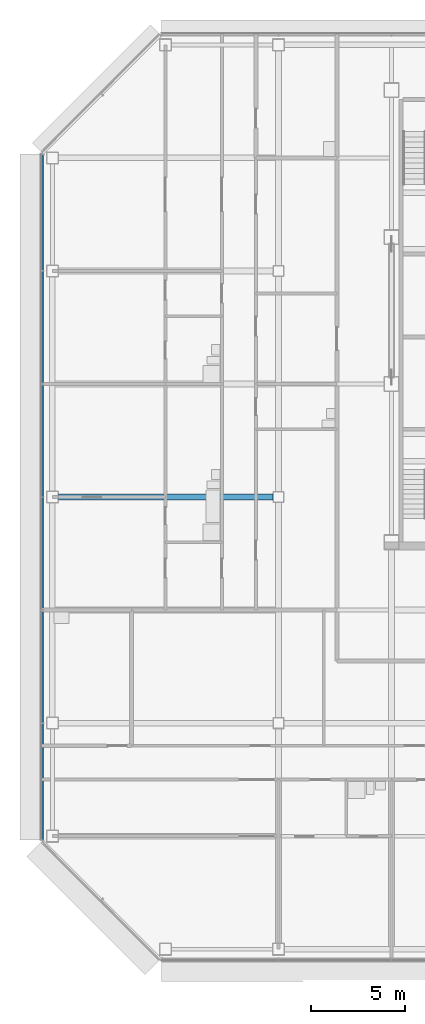
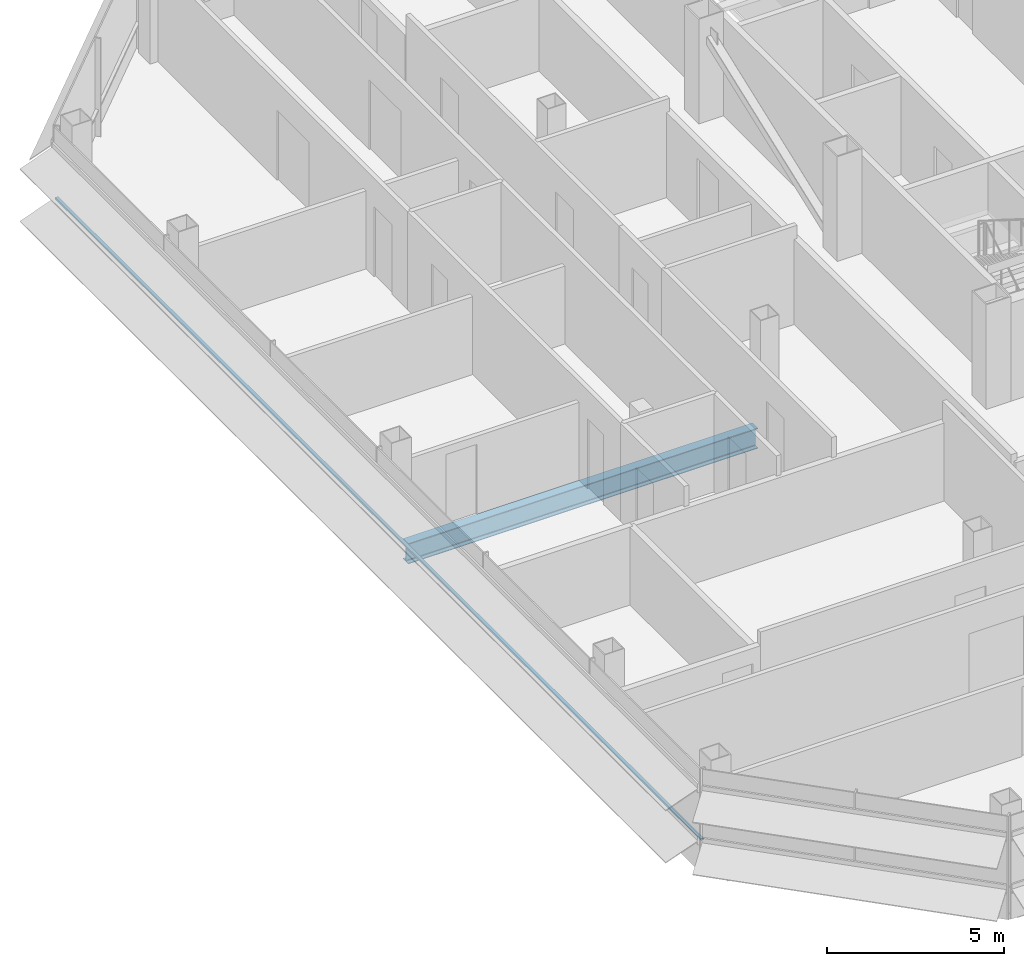
# One storey, part 5 of 27: 1 beam, 1 member, 1 element without a shape of its own.
"""IFC4 building model written with IfcOpenShell, lengths in metres."""

import ifcopenshell
import ifcopenshell.guid

model = None  # the IFC model being written
_history = None  # IfcOwnerHistory: only IFC2X3 demands one
_inside = {}  # id of a spatial element -> (the spatial element, [elements in it])
_under = {}  # id of a project, library or spatial element -> (it, [spatial elements below it])
_declared = {}  # id of a project -> (the project, [libraries it declares])
_typed = {}  # id of a type object -> (the type object, [elements of that type])
_made_of = {}  # id of a material, layer set ... -> (it, [elements and type objects made of it])


def new_model(schema):
    """Start an empty IFC model of exactly this schema.

    Asked for "IFC4X3", IfcOpenShell would pick the latest addendum, in which some entities
    have other attributes; the version numbers below select the first issue.
    IFC2X3 requires an IfcOwnerHistory on every rooted entity: one is made here for all.
    """
    global model, _history
    if schema == "IFC4X3":
        model = ifcopenshell.file(schema_version=(4, 3, 0, 0))
    else:
        model = ifcopenshell.file(schema=schema)
    _inside.clear()
    _under.clear()
    _declared.clear()
    _typed.clear()
    _made_of.clear()
    _history = None
    if model.schema == "IFC2X3":
        org = make("IfcOrganization", Name="unknown")
        user = make(
            "IfcPersonAndOrganization",
            ThePerson=make("IfcPerson", FamilyName="unknown"),
            TheOrganization=org,
        )
        app = make(
            "IfcApplication",
            ApplicationDeveloper=org,
            Version="unknown",
            ApplicationFullName="unknown",
            ApplicationIdentifier="unknown",
        )
        _history = make(
            "IfcOwnerHistory",
            OwningUser=user,
            OwningApplication=app,
            ChangeAction="ADDED",
            CreationDate=0,
        )
    return model


def make(cls, **values):
    """One entity of the class cls with the attributes given. An attribute that is None is left unset."""
    return model.create_entity(
        cls, **{name: value for name, value in values.items() if value is not None}
    )


def rooted(cls, **values):
    """An entity with a GlobalId (a new one), such as an element, a storey or a relation."""
    return make(cls, GlobalId=ifcopenshell.guid.new(), OwnerHistory=_history, **values)


def si_unit(unit_type, name, prefix=None):
    """IfcSIUnit, for example si_unit("LENGTHUNIT", "METRE", prefix="MILLI")."""
    return make("IfcSIUnit", UnitType=unit_type, Prefix=prefix, Name=name)


def assignment(units):
    """IfcUnitAssignment: the units of a project."""
    return None if units is None else make("IfcUnitAssignment", Units=units)


def point(xyz):
    """IfcCartesianPoint."""
    return None if xyz is None else make("IfcCartesianPoint", Coordinates=xyz)


def direction(xyz):
    """IfcDirection."""
    return None if xyz is None else make("IfcDirection", DirectionRatios=xyz)


def frame(location, z_axis=None, x_axis=None):
    """IfcAxis2Placement3D, a coordinate frame: its origin and axes. An axis left out is left unset."""
    return make(
        "IfcAxis2Placement3D",
        Location=point(location),
        Axis=direction(z_axis),
        RefDirection=direction(x_axis),
    )


def frame_2d(location, x_axis=None):
    """IfcAxis2Placement2D, a coordinate frame in the plane: its origin and x axis."""
    return make(
        "IfcAxis2Placement2D", Location=point(location), RefDirection=direction(x_axis)
    )


def origin():
    """The frame at (0, 0, 0) with its axes left unset."""
    return frame((0.0, 0.0, 0.0))


def origin_2d():
    """The frame at (0, 0) in the plane with its x axis left unset."""
    return frame_2d((0.0, 0.0))


def place(relative_to, where):
    """IfcLocalPlacement: puts the frame where relative to a parent placement (None: the world)."""
    return make(
        "IfcLocalPlacement", PlacementRelTo=relative_to, RelativePlacement=where
    )


def context(
    kind, dimensions, precision=None, world=None, true_north=None, identifier=None
):
    """IfcGeometricRepresentationContext, for example the 3D "Model" context."""
    return make(
        "IfcGeometricRepresentationContext",
        ContextIdentifier=identifier,
        ContextType=kind,
        CoordinateSpaceDimension=dimensions,
        Precision=precision,
        WorldCoordinateSystem=world,
        TrueNorth=true_north,
    )


def subcontext(parent, identifier, kind, view, scale=None):
    """IfcGeometricRepresentationSubContext, for example "Body" below "Model"."""
    return make(
        "IfcGeometricRepresentationSubContext",
        ContextIdentifier=identifier,
        ContextType=kind,
        ParentContext=parent,
        TargetScale=scale,
        TargetView=view,
    )


def project(units=None, contexts=None):
    """IfcProject with its units and contexts."""
    return rooted(
        "IfcProject",
        Name="project",
        RepresentationContexts=contexts,
        UnitsInContext=assignment(units),
    )


def spatial(cls, under=None, at=None, **own):
    """A site, building, storey or space (cls), placed at a placement, below another one or the project."""
    s = rooted(cls, ObjectPlacement=at, **own)
    if under is not None:
        _under.setdefault(under.id(), (under, []))[1].append(s)
    return s


def profile(cls, at=None, kind="AREA", **sizes):
    """A parametric profile (cls). Its sizes go by their IFC names, for example OverallWidth=200.0."""
    return make(cls, ProfileType=kind, Position=at, **sizes)


def rectangle(**sizes):
    """IfcRectangleProfileDef."""
    return profile("IfcRectangleProfileDef", **sizes)


def i_section(**sizes):
    """IfcIShapeProfileDef."""
    return profile("IfcIShapeProfileDef", **sizes)


def extrude(swept, where, along, depth):
    """IfcExtrudedAreaSolid: the profile swept, set in the frame where, extruded along a direction by depth."""
    return make(
        "IfcExtrudedAreaSolid",
        SweptArea=swept,
        Position=where,
        ExtrudedDirection=direction(along),
        Depth=depth,
    )


def shape(context_of_items, identifier, shape_type, items):
    """IfcShapeRepresentation: the items that make up one representation, for example the "Body"."""
    return make(
        "IfcShapeRepresentation",
        ContextOfItems=context_of_items,
        RepresentationIdentifier=identifier,
        RepresentationType=shape_type,
        Items=items,
    )


def material(Name=None, Category=None):
    """IfcMaterial."""
    return make("IfcMaterial", Name=Name, Category=Category)


def material_profile(
    of_material, cross_section, Name=None, Category=None, Priority=None
):
    """IfcMaterialProfile: a cross section and its material."""
    return make(
        "IfcMaterialProfile",
        Name=Name,
        Material=of_material,
        Profile=cross_section,
        Priority=Priority,
        Category=Category,
    )


def profile_set(profiles, Name=None, composite=None):
    """IfcMaterialProfileSet."""
    return make(
        "IfcMaterialProfileSet",
        Name=Name,
        MaterialProfiles=profiles,
        CompositeProfile=composite,
    )


def made_of(thing, what):
    """Note that an element or type object is made of a material, layer set ...; save() writes the relation."""
    if what is not None:
        _made_of.setdefault(what.id(), (what, []))[1].append(thing)
    return thing


def type_object(cls, material=None, **own):
    """A type object (cls), such as IfcWallType, which elements share."""
    return made_of(rooted(cls, **own), material)


def element(
    cls,
    number,
    at=None,
    inside=None,
    cuts=None,
    type_object=None,
    material=None,
    context=None,
    identifier="Body",
    shape_type=None,
    held_by="IfcProductDefinitionShape",
    body=None,
    shapes=None,
    **own,
):
    """One element of the class cls, such as IfcWall. Its Tag is "e" and its number.

    at: its placement. inside: the storey or other place that contains it. cuts: it is an
    opening in that element (IfcRelVoidsElement). A single representation is given by context,
    identifier, shape_type and body (its items); several are given by shapes. held_by: the class
    of the entity that holds the representations. save() writes the other relations.
    """
    e = rooted(cls, Tag="e%d" % number, ObjectPlacement=at, **own)
    if body is not None:
        shapes = [shape(context, identifier, shape_type, body)]
    if shapes is not None:
        e.Representation = make(held_by, Representations=shapes)
    if inside is not None:
        _inside.setdefault(inside.id(), (inside, []))[1].append(e)
    if cuts is not None:
        rooted(
            "IfcRelVoidsElement", RelatingBuildingElement=cuts, RelatedOpeningElement=e
        )
    if type_object is not None:
        _typed.setdefault(type_object.id(), (type_object, []))[1].append(e)
    return made_of(e, material)


def aggregate(whole, parts):
    """IfcRelAggregates: a whole, such as a stair, and the parts it consists of."""
    return rooted("IfcRelAggregates", RelatingObject=whole, RelatedObjects=parts)


def save(model, path):
    """Write the relations noted so far, then the file.

    IfcRelAggregates (storeys below a building ...), IfcRelContainedInSpatialStructure (elements
    in a storey), IfcRelDefinesByType, IfcRelAssociatesMaterial and IfcRelDeclares: one each for
    every whole, place, type object, material and project.
    """
    for whole, parts in _under.values():
        aggregate(whole, parts)
    for where, things in _inside.values():
        rooted(
            "IfcRelContainedInSpatialStructure",
            RelatedElements=things,
            RelatingStructure=where,
        )
    for kind, things in _typed.values():
        rooted("IfcRelDefinesByType", RelatedObjects=things, RelatingType=kind)
    for what, things in _made_of.values():
        rooted("IfcRelAssociatesMaterial", RelatedObjects=things, RelatingMaterial=what)
    for by, libraries in _declared.values():
        rooted("IfcRelDeclares", RelatingContext=by, RelatedDefinitions=libraries)
    model.write(path)


model = new_model("IFC4")

# Units and contexts
model_context = context("Model", 3, precision=1e-05, world=origin(), true_north=direction((0.0, 1.0)))
body_context = subcontext(model_context, "Body", "Model", "MODEL_VIEW")
ifc_project = project(units=[si_unit("LENGTHUNIT", "METRE"), si_unit("AREAUNIT", "SQUARE_METRE"), si_unit("VOLUMEUNIT", "CUBIC_METRE"), si_unit("PLANEANGLEUNIT", "RADIAN"), si_unit("MASSUNIT", "GRAM", prefix="KILO")], contexts=[model_context])

# Site, building, storey
site_placement = place(None, origin())
site = spatial("IfcSite", under=ifc_project, at=site_placement, CompositionType="ELEMENT")
building_placement = place(site_placement, origin())
building = spatial("IfcBuilding", under=site, at=building_placement, Name="Sorahane Residences", CompositionType="ELEMENT")
storey_placement = place(building_placement, frame((0.0, 0.0, 206.39990234375)))
storey = spatial("IfcBuildingStorey", under=building, at=storey_placement, Name="L48", CompositionType="ELEMENT", Elevation=206.39990234375)

# Curtain wall, member
ifc_material_1 = material(Name="Dark low-e glass and black anodised aluminium", Category="aluminium")
curtain_wall_type = type_object("IfcCurtainWallType", Name="Curtain wall CW-1 Typical unitised wall", PredefinedType="NOTDEFINED", material=ifc_material_1)
curtain_wall_placement = place(storey_placement, origin())
curtain_wall = element("IfcCurtainWall", 1, at=curtain_wall_placement, inside=storey, type_object=curtain_wall_type, Name="CW-1 curtain wall L48 W1", PredefinedType="NOTDEFINED")
ifc_material_2 = material(Name="Black anodised aluminium", Category="aluminium")
ifc_material_profile_1 = material_profile(ifc_material_2, rectangle(XDim=0.10009765625, YDim=0.06005859375, at=origin_2d()), Name="Curtain wall transom CW-1 black anodised aluminium 60x100")
ifc_profile_set_1 = profile_set([ifc_material_profile_1], Name="Black anodised aluminium")
member_type = type_object("IfcMemberType", Name="Curtain wall transom CW-1 black anodised aluminium 60x100", PredefinedType="USERDEFINED", material=ifc_profile_set_1)
member_placement = place(storey_placement, frame((-12.530029296875, 42.198486328125, 0.900146484375), z_axis=(0.0, -1.0, 0.0), x_axis=(1.0, 0.0, 0.0)))
member = element("IfcMember", 2, at=member_placement, type_object=member_type, Name="CW-1 transom L48 W1", ObjectType="TRANSOM", PredefinedType="USERDEFINED", context=body_context, shape_type="SweptSolid", body=[
    extrude(rectangle(XDim=0.10009765625, YDim=0.06005859375, at=origin_2d()), origin(), (0.0, 0.0, 1.0), 36.39697265625),
])
aggregate(curtain_wall, [member])

# Beam
ifc_material_3 = material(Name="Steel Q355B", Category="steel")
ifc_material_profile_2 = material_profile(ifc_material_3, i_section(OverallWidth=0.300048828125, OverallDepth=0.699951171875, WebThickness=0.012939453125, FlangeThickness=0.02392578125, FilletRadius=0.028076171875, at=origin_2d()), Name="HN 700x300x13x24")
ifc_profile_set_2 = profile_set([ifc_material_profile_2], Name="Steel Q355B")
beam_type = type_object("IfcBeamType", Name="Steel floor beam HN 700x300x13x24 Q355B", PredefinedType="BEAM", material=ifc_profile_set_2)
beam_placement = place(storey_placement, frame((-11.675048828125, 24.0, -0.52978515625), z_axis=(1.0, 0.0, 0.0), x_axis=(0.0, 1.0, 0.0)))
element("IfcBeam", 3, at=beam_placement, inside=storey, type_object=beam_type, Name="Beam L48 011", PredefinedType="BEAM", context=body_context, shape_type="SweptSolid", body=[
    extrude(i_section(OverallWidth=0.300048828125, OverallDepth=0.699951171875, WebThickness=0.012939453125, FlangeThickness=0.02392578125, FilletRadius=0.028076171875, at=origin_2d()), origin(), (0.0, 0.0, 1.0), 11.375),
])

save(model, "model.ifc")
